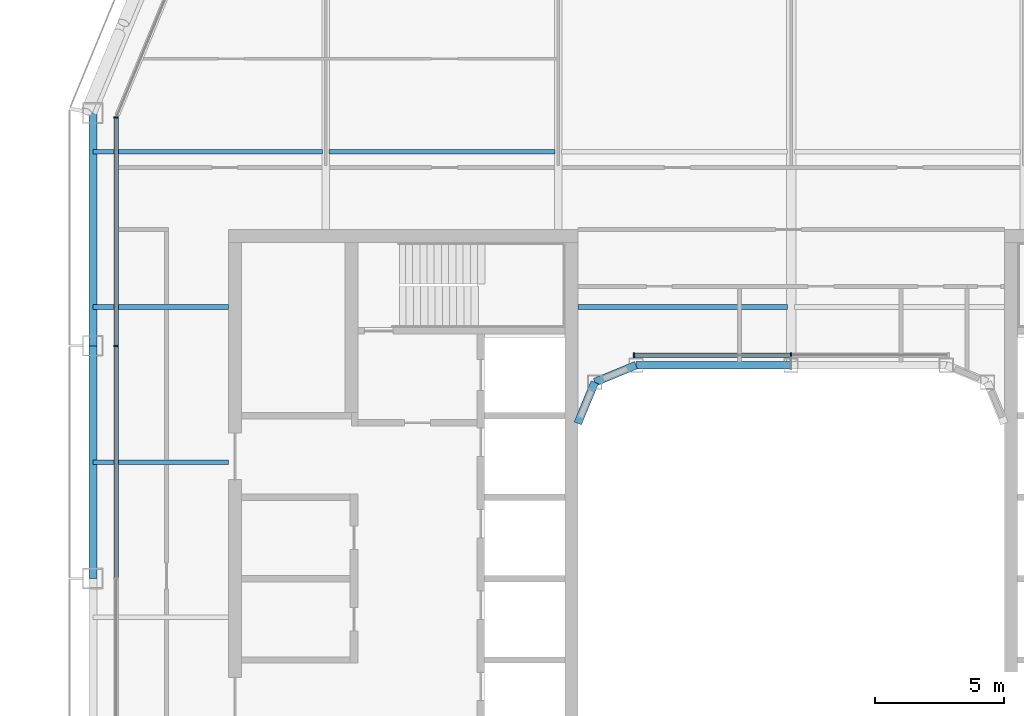
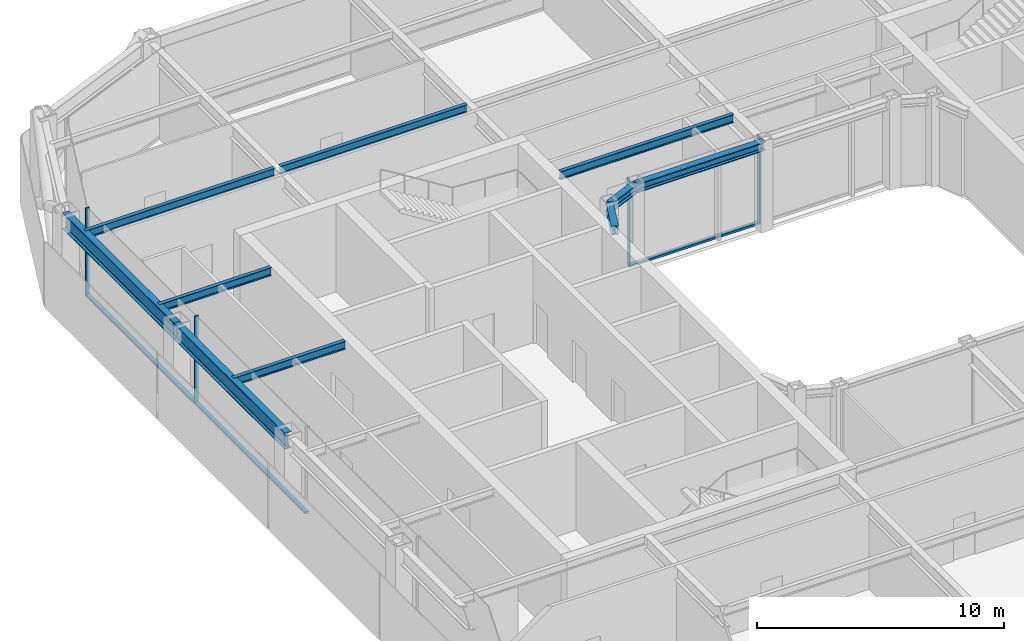
# One storey, part 6 of 23: 10 beams, 7 members, 2 elements without a shape of their own.
"""IFC4 building model written with IfcOpenShell, lengths in metres."""

from ifc_helpers import new_model, si_unit, direction, frame, origin, origin_2d, place, context, subcontext, project, spatial, rectangle, i_section, extrude, material, layer, layer_set, material_profile, profile_set, type_object, element, aggregate, save


model = new_model("IFC4")

# Units and contexts
model_context = context("Model", 3, precision=1e-05, world=origin(), true_north=direction((0.0, 1.0)))
body_context = subcontext(model_context, "Body", "Model", "MODEL_VIEW")
ifc_project = project(units=[si_unit("LENGTHUNIT", "METRE"), si_unit("AREAUNIT", "SQUARE_METRE"), si_unit("VOLUMEUNIT", "CUBIC_METRE"), si_unit("PLANEANGLEUNIT", "RADIAN"), si_unit("MASSUNIT", "GRAM", prefix="KILO")], contexts=[model_context])

# Site, building, storey
site_placement = place(None, origin())
site = spatial("IfcSite", under=ifc_project, at=site_placement, CompositionType="ELEMENT")
building_placement = place(site_placement, origin())
building = spatial("IfcBuilding", under=site, at=building_placement, Name="Siwar Civic Tower", CompositionType="ELEMENT")
storey_placement = place(building_placement, frame((0.0, 0.0, 251.199951171875)))
storey = spatial("IfcBuildingStorey", under=building, at=storey_placement, Name="L54", CompositionType="ELEMENT", Elevation=251.199951171875)

# Curtain wall, members
ifc_material_1 = material(Name="Aluminium and glass", Category="aluminium")
ifc_layer_1 = layer(ifc_material_1, 0.179931640625)
ifc_layer_set_1 = layer_set([ifc_layer_1], Name="Aluminium and glass")
curtain_wall_type_1 = type_object("IfcCurtainWallType", Name="ENV-CW-C", PredefinedType="NOTDEFINED", material=ifc_layer_set_1)
curtain_wall_1_placement = place(storey_placement, origin())
curtain_wall_1 = element("IfcCurtainWall", 1, at=curtain_wall_1_placement, inside=storey, type_object=curtain_wall_type_1, Name="Curtain wall C W", PredefinedType="NOTDEFINED")
ifc_material_2 = material(Name="Aluminium 6063-T6", Category="aluminium")
ifc_material_profile_1 = material_profile(ifc_material_2, rectangle(XDim=0.179931640625, YDim=0.06005859375, at=origin_2d()), Name="AL 180x60")
ifc_profile_set_1 = profile_set([ifc_material_profile_1], Name="Aluminium 6063-T6")
member_type_1 = type_object("IfcMemberType", Name="ENV-MULLION-C", PredefinedType="MULLION", material=ifc_profile_set_1)
member_1_placement = place(storey_placement, frame((-26.10009765625, 17.821044921875, 0.0), z_axis=(0.0, 0.0, 1.0), x_axis=(1.0, 0.0, 0.0)))
member_1 = element("IfcMember", 2, at=member_1_placement, type_object=member_type_1, Name="Mullion C W 1", PredefinedType="MULLION", context=body_context, shape_type="SweptSolid", body=[
    extrude(rectangle(XDim=0.179931640625, YDim=0.06005859375, at=origin_2d()), origin(), (0.0, 0.0, 1.0), 4.35009765625),
])
member_2_placement = place(storey_placement, frame((-26.10009765625, 9.0, 0.0), z_axis=(0.0, 0.0, 1.0), x_axis=(1.0, 0.0, 0.0)))
member_2 = element("IfcMember", 3, at=member_2_placement, type_object=member_type_1, Name="Mullion C W 2", PredefinedType="MULLION", context=body_context, shape_type="SweptSolid", body=[
    extrude(rectangle(XDim=0.179931640625, YDim=0.06005859375, at=origin_2d()), origin(), (0.0, 0.0, 1.0), 4.35009765625),
])

ifc_material_3 = material(Name="Aluminium and glass", Category="aluminium")
ifc_layer_2 = layer(ifc_material_3, 0.179931640625)
ifc_layer_set_2 = layer_set([ifc_layer_2], Name="Aluminium and glass")
curtain_wall_type_2 = type_object("IfcCurtainWallType", Name="ENV-CW-W", PredefinedType="NOTDEFINED", material=ifc_layer_set_2)
curtain_wall_2_placement = place(storey_placement, origin())
curtain_wall_2 = element("IfcCurtainWall", 4, at=curtain_wall_2_placement, inside=storey, type_object=curtain_wall_type_2, Name="Curtain wall W WN", PredefinedType="NOTDEFINED")
ifc_material_4 = material(Name="Aluminium 6063-T6", Category="aluminium")
ifc_material_profile_2 = material_profile(ifc_material_4, rectangle(XDim=0.179931640625, YDim=0.06005859375, at=origin_2d()), Name="AL 180x60")
ifc_profile_set_2 = profile_set([ifc_material_profile_2], Name="Aluminium 6063-T6")
member_type_2 = type_object("IfcMemberType", Name="ENV-MULLION-W", PredefinedType="MULLION", material=ifc_profile_set_2)
member_3_placement = place(storey_placement, frame((0.0, 8.635009765625, 0.0), z_axis=(0.0, 0.0, 1.0), x_axis=(0.0, -1.0, 0.0)))
member_3 = element("IfcMember", 5, at=member_3_placement, type_object=member_type_2, Name="Mullion W WN 2", PredefinedType="MULLION", context=body_context, shape_type="SweptSolid", body=[
    extrude(rectangle(XDim=0.179931640625, YDim=0.06005859375, at=origin_2d()), origin(), (0.0, 0.0, 1.0), 4.35009765625),
])
member_4_placement = place(storey_placement, frame((-6.07666015625, 8.635009765625, 0.0), z_axis=(0.0, 0.0, 1.0), x_axis=(0.0, -1.0, 0.0)))
member_4 = element("IfcMember", 6, at=member_4_placement, type_object=member_type_2, Name="Mullion W WN 3", PredefinedType="MULLION", context=body_context, shape_type="SweptSolid", body=[
    extrude(rectangle(XDim=0.179931640625, YDim=0.06005859375, at=origin_2d()), origin(), (0.0, 0.0, 1.0), 4.35009765625),
])

# Member
ifc_material_5 = material(Name="Aluminium 6063-T6", Category="aluminium")
ifc_material_profile_3 = material_profile(ifc_material_5, rectangle(XDim=0.179931640625, YDim=0.10009765625, at=origin_2d()), Name="AL 180x100")
ifc_profile_set_3 = profile_set([ifc_material_profile_3], Name="Aluminium 6063-T6")
member_type_3 = type_object("IfcMemberType", Name="ENV-TRANSOM-C", PredefinedType="USERDEFINED", material=ifc_profile_set_3)
member_5_placement = place(storey_placement, frame((-26.10009765625, 17.791015625, 0.050048828125), z_axis=(0.0, -1.0, 0.0), x_axis=(1.0, 0.0, 0.0)))
member_5 = element("IfcMember", 7, at=member_5_placement, type_object=member_type_3, Name="Transom C W 1", ObjectType="TRANSOM", PredefinedType="USERDEFINED", context=body_context, shape_type="SweptSolid", body=[
    extrude(rectangle(XDim=0.179931640625, YDim=0.10009765625, at=origin_2d()), origin(), (0.0, 0.0, 1.0), 8.760986328125),
])

member_6_placement = place(storey_placement, frame((-26.10009765625, 8.969970703125, 0.050048828125), z_axis=(0.0, -1.0, 0.0), x_axis=(1.0, 0.0, 0.0)))
member_6 = element("IfcMember", 8, at=member_6_placement, type_object=member_type_3, Name="Transom C W 2", ObjectType="TRANSOM", PredefinedType="USERDEFINED", context=body_context, shape_type="SweptSolid", body=[
    extrude(rectangle(XDim=0.179931640625, YDim=0.10009765625, at=origin_2d()), origin(), (0.0, 0.0, 1.0), 8.93994140625),
])

aggregate(curtain_wall_1, [member_1, member_2, member_5, member_6])

ifc_material_6 = material(Name="Aluminium 6063-T6", Category="aluminium")
ifc_material_profile_4 = material_profile(ifc_material_6, rectangle(XDim=0.179931640625, YDim=0.10009765625, at=origin_2d()), Name="AL 180x100")
ifc_profile_set_4 = profile_set([ifc_material_profile_4], Name="Aluminium 6063-T6")
member_type_4 = type_object("IfcMemberType", Name="ENV-TRANSOM-W", PredefinedType="USERDEFINED", material=ifc_profile_set_4)
member_7_placement = place(storey_placement, frame((-0.030029296875, 8.635009765625, 0.050048828125), z_axis=(-1.0, 0.0, 0.0), x_axis=(0.0, -1.0, 0.0)))
member_7 = element("IfcMember", 9, at=member_7_placement, type_object=member_type_4, Name="Transom W WN 2", ObjectType="TRANSOM", PredefinedType="USERDEFINED", context=body_context, shape_type="SweptSolid", body=[
    extrude(rectangle(XDim=0.179931640625, YDim=0.10009765625, at=origin_2d()), origin(), (0.0, 0.0, 1.0), 6.0166015625),
])

aggregate(curtain_wall_2, [member_3, member_4, member_7])

# Beams
ifc_material_7 = material(Name="Steel S355", Category="steel")
ifc_material_profile_5 = material_profile(ifc_material_7, i_section(OverallWidth=0.179931640625, OverallDepth=0.39990234375, WebThickness=0.008544921875, FlangeThickness=0.013427734375, FilletRadius=0.02099609375, at=origin_2d()), Name="IPE400")
ifc_profile_set_5 = profile_set([ifc_material_profile_5], Name="Steel S355")
beam_type_1 = type_object("IfcBeamType", Name="STR-FB-IPE400", PredefinedType="JOIST", material=ifc_profile_set_5)
for number, where, z_axis, x_axis, name in (
    (10, (-27.0, 4.5, 4.150146484375), (1.0, 0.0, 0.0), (0.0, 1.0, 0.0), "L54/bm/F025"),
    (11, (-27.0, 10.5, 4.150146484375), (1.0, 0.0, 0.0), (0.0, 1.0, 0.0), "L54/bm/F027"),
):
    element("IfcBeam", number, at=place(storey_placement, frame(where, z_axis=z_axis, x_axis=x_axis)), inside=storey, type_object=beam_type_1, Name=name, PredefinedType="JOIST", context=body_context, shape_type="SweptSolid", body=[
        extrude(i_section(OverallWidth=0.179931640625, OverallDepth=0.39990234375, WebThickness=0.008544921875, FlangeThickness=0.013427734375, FilletRadius=0.02099609375, at=origin_2d()), origin(), (0.0, 0.0, 1.0), 5.25),
    ])
beam_1_placement = place(storey_placement, frame((-8.25, 10.5, 4.150146484375), z_axis=(1.0, 0.0, 0.0), x_axis=(0.0, 1.0, 0.0)))
element("IfcBeam", 12, at=beam_1_placement, inside=storey, type_object=beam_type_1, Name="L54/bm/F028", PredefinedType="JOIST", context=body_context, shape_type="SweptSolid", body=[
    extrude(i_section(OverallWidth=0.179931640625, OverallDepth=0.39990234375, WebThickness=0.008544921875, FlangeThickness=0.013427734375, FilletRadius=0.02099609375, at=origin_2d()), origin(), (0.0, 0.0, 1.0), 8.1201171875),
])
beam_2_placement = place(storey_placement, frame((-27.0, 16.5, 4.150146484375), z_axis=(1.0, 0.0, 0.0), x_axis=(0.0, 1.0, 0.0)))
element("IfcBeam", 13, at=beam_2_placement, inside=storey, type_object=beam_type_1, Name="L54/bm/F031", PredefinedType="JOIST", context=body_context, shape_type="SweptSolid", body=[
    extrude(i_section(OverallWidth=0.179931640625, OverallDepth=0.39990234375, WebThickness=0.008544921875, FlangeThickness=0.013427734375, FilletRadius=0.02099609375, at=origin_2d()), origin(), (0.0, 0.0, 1.0), 8.8701171875),
])
beam_3_placement = place(storey_placement, frame((-17.8701171875, 16.5, 4.150146484375), z_axis=(1.0, 0.0, 0.0), x_axis=(0.0, 1.0, 0.0)))
element("IfcBeam", 14, at=beam_3_placement, inside=storey, type_object=beam_type_1, Name="L54/bm/F032", PredefinedType="JOIST", context=body_context, shape_type="SweptSolid", body=[
    extrude(i_section(OverallWidth=0.179931640625, OverallDepth=0.39990234375, WebThickness=0.008544921875, FlangeThickness=0.013427734375, FilletRadius=0.02099609375, at=origin_2d()), origin(), (0.0, 0.0, 1.0), 8.740234375),
])
ifc_material_8 = material(Name="Steel S355", Category="steel")
ifc_material_profile_6 = material_profile(ifc_material_8, i_section(OverallWidth=0.306884765625, OverallDepth=0.431884765625, WebThickness=0.02099609375, FlangeThickness=0.0400390625, FilletRadius=0.027099609375, at=origin_2d()), Name="HEM400")
ifc_profile_set_6 = profile_set([ifc_material_profile_6], Name="Steel S355")
beam_type_2 = type_object("IfcBeamType", Name="STR-RB-HEM400", PredefinedType="BEAM", material=ifc_profile_set_6)
beam_4_placement = place(storey_placement, frame((-7.591064453125, 7.591064453125, 4.134033203125), z_axis=(0.923901072997, 0.382631424892, 0.0), x_axis=(-0.382631424892, 0.923901072997, 0.0)))
element("IfcBeam", 15, at=beam_4_placement, inside=storey, type_object=beam_type_2, Name="L54/bm/RN0", PredefinedType="BEAM", context=body_context, shape_type="SweptSolid", body=[
    extrude(i_section(OverallWidth=0.306884765625, OverallDepth=0.431884765625, WebThickness=0.02099609375, FlangeThickness=0.0400390625, FilletRadius=0.027099609375, at=origin_2d()), origin(), (0.0, 0.0, 1.0), 1.72216796875),
])
beam_5_placement = place(storey_placement, frame((-6.0, 8.25, 4.134033203125), z_axis=(1.0, 0.0, 0.0), x_axis=(0.0, 1.0, 0.0)))
element("IfcBeam", 16, at=beam_5_placement, inside=storey, type_object=beam_type_2, Name="L54/bm/RN1", PredefinedType="BEAM", context=body_context, shape_type="SweptSolid", body=[
    extrude(i_section(OverallWidth=0.306884765625, OverallDepth=0.431884765625, WebThickness=0.02099609375, FlangeThickness=0.0400390625, FilletRadius=0.027099609375, at=origin_2d()), origin(), (0.0, 0.0, 1.0), 6.0),
])
beam_6_placement = place(storey_placement, frame((-7.591064453125, 7.591064453125, 4.134033203125), z_axis=(-0.382631424892, -0.923901072997, 0.0), x_axis=(0.923901072997, -0.382631424892, 0.0)))
element("IfcBeam", 17, at=beam_6_placement, inside=storey, type_object=beam_type_2, Name="L54/bm/RNEW", PredefinedType="BEAM", context=body_context, shape_type="SweptSolid", body=[
    extrude(i_section(OverallWidth=0.306884765625, OverallDepth=0.431884765625, WebThickness=0.02099609375, FlangeThickness=0.0400390625, FilletRadius=0.027099609375, at=origin_2d()), origin(), (0.0, 0.0, 1.0), 1.72216796875),
])
ifc_material_9 = material(Name="Steel S355", Category="steel")
ifc_material_profile_7 = material_profile(ifc_material_9, i_section(OverallWidth=0.300048828125, OverallDepth=0.800048828125, WebThickness=0.017578125, FlangeThickness=0.032958984375, FilletRadius=0.030029296875, at=origin_2d()), Name="HEB800")
ifc_profile_set_7 = profile_set([ifc_material_profile_7], Name="Steel S355")
beam_type_3 = type_object("IfcBeamType", Name="STR-SB-HEB800", PredefinedType="BEAM", material=ifc_profile_set_7)
for number, where, z_axis, x_axis, name in (
    (18, (-27.0, 18.0, 3.949951171875), (0.0, -1.0, 0.0), (1.0, 0.0, 0.0), "L54/bm/SW-0"),
    (19, (-27.0, 9.0, 3.949951171875), (0.0, -1.0, 0.0), (1.0, 0.0, 0.0), "L54/bm/SW-1"),
):
    element("IfcBeam", number, at=place(storey_placement, frame(where, z_axis=z_axis, x_axis=x_axis)), inside=storey, type_object=beam_type_3, Name=name, PredefinedType="BEAM", context=body_context, shape_type="SweptSolid", body=[
        extrude(i_section(OverallWidth=0.300048828125, OverallDepth=0.800048828125, WebThickness=0.017578125, FlangeThickness=0.032958984375, FilletRadius=0.030029296875, at=origin_2d()), origin(), (0.0, 0.0, 1.0), 9.0),
    ])

save(model, "model.ifc")
